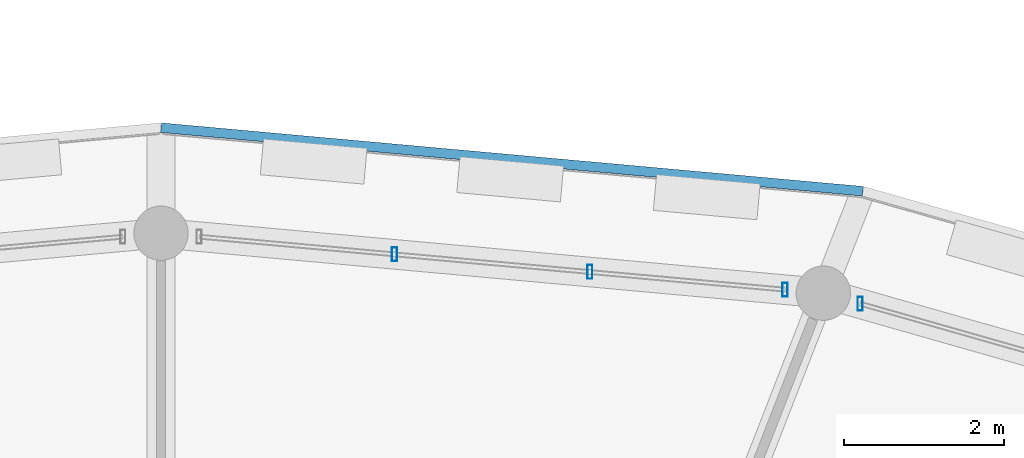
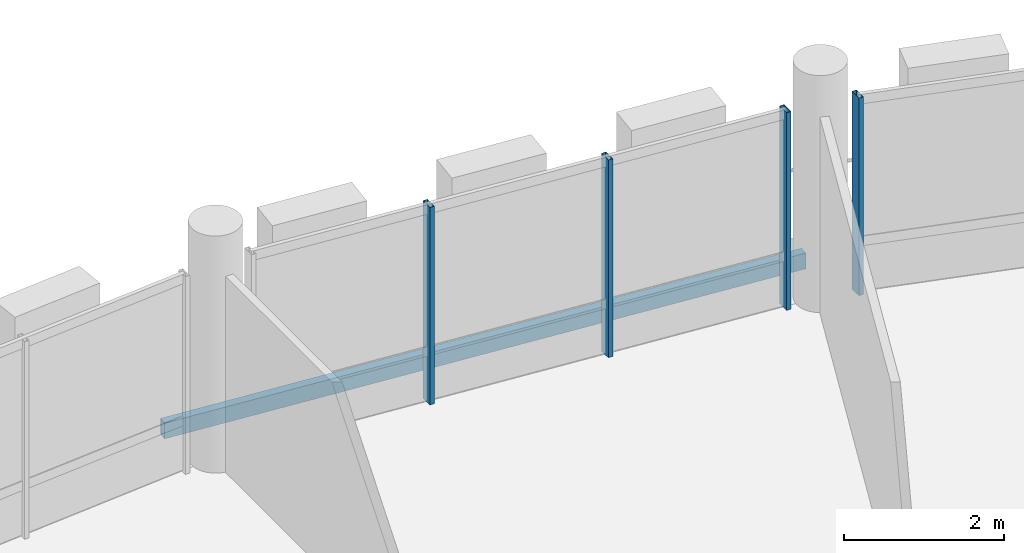
# One storey, part 77 of 128: 4 members, 1 beam, 2 elements without a shape of their own.
"""IFC4 building model written with IfcOpenShell, lengths in metres."""

import ifcopenshell
import ifcopenshell.guid

model = None  # the IFC model being written
_history = None  # IfcOwnerHistory: only IFC2X3 demands one
_inside = {}  # id of a spatial element -> (the spatial element, [elements in it])
_under = {}  # id of a project, library or spatial element -> (it, [spatial elements below it])
_declared = {}  # id of a project -> (the project, [libraries it declares])
_typed = {}  # id of a type object -> (the type object, [elements of that type])
_made_of = {}  # id of a material, layer set ... -> (it, [elements and type objects made of it])


def new_model(schema):
    """Start an empty IFC model of exactly this schema.

    Asked for "IFC4X3", IfcOpenShell would pick the latest addendum, in which some entities
    have other attributes; the version numbers below select the first issue.
    IFC2X3 requires an IfcOwnerHistory on every rooted entity: one is made here for all.
    """
    global model, _history
    if schema == "IFC4X3":
        model = ifcopenshell.file(schema_version=(4, 3, 0, 0))
    else:
        model = ifcopenshell.file(schema=schema)
    _inside.clear()
    _under.clear()
    _declared.clear()
    _typed.clear()
    _made_of.clear()
    _history = None
    if model.schema == "IFC2X3":
        org = make("IfcOrganization", Name="unknown")
        user = make(
            "IfcPersonAndOrganization",
            ThePerson=make("IfcPerson", FamilyName="unknown"),
            TheOrganization=org,
        )
        app = make(
            "IfcApplication",
            ApplicationDeveloper=org,
            Version="unknown",
            ApplicationFullName="unknown",
            ApplicationIdentifier="unknown",
        )
        _history = make(
            "IfcOwnerHistory",
            OwningUser=user,
            OwningApplication=app,
            ChangeAction="ADDED",
            CreationDate=0,
        )
    return model


def make(cls, **values):
    """One entity of the class cls with the attributes given. An attribute that is None is left unset."""
    return model.create_entity(
        cls, **{name: value for name, value in values.items() if value is not None}
    )


def rooted(cls, **values):
    """An entity with a GlobalId (a new one), such as an element, a storey or a relation."""
    return make(cls, GlobalId=ifcopenshell.guid.new(), OwnerHistory=_history, **values)


def si_unit(unit_type, name, prefix=None):
    """IfcSIUnit, for example si_unit("LENGTHUNIT", "METRE", prefix="MILLI")."""
    return make("IfcSIUnit", UnitType=unit_type, Prefix=prefix, Name=name)


def assignment(units):
    """IfcUnitAssignment: the units of a project."""
    return None if units is None else make("IfcUnitAssignment", Units=units)


def point(xyz):
    """IfcCartesianPoint."""
    return None if xyz is None else make("IfcCartesianPoint", Coordinates=xyz)


def direction(xyz):
    """IfcDirection."""
    return None if xyz is None else make("IfcDirection", DirectionRatios=xyz)


def frame(location, z_axis=None, x_axis=None):
    """IfcAxis2Placement3D, a coordinate frame: its origin and axes. An axis left out is left unset."""
    return make(
        "IfcAxis2Placement3D",
        Location=point(location),
        Axis=direction(z_axis),
        RefDirection=direction(x_axis),
    )


def frame_2d(location, x_axis=None):
    """IfcAxis2Placement2D, a coordinate frame in the plane: its origin and x axis."""
    return make(
        "IfcAxis2Placement2D", Location=point(location), RefDirection=direction(x_axis)
    )


def origin():
    """The frame at (0, 0, 0) with its axes left unset."""
    return frame((0.0, 0.0, 0.0))


def origin_2d():
    """The frame at (0, 0) in the plane with its x axis left unset."""
    return frame_2d((0.0, 0.0))


def place(relative_to, where):
    """IfcLocalPlacement: puts the frame where relative to a parent placement (None: the world)."""
    return make(
        "IfcLocalPlacement", PlacementRelTo=relative_to, RelativePlacement=where
    )


def context(
    kind, dimensions, precision=None, world=None, true_north=None, identifier=None
):
    """IfcGeometricRepresentationContext, for example the 3D "Model" context."""
    return make(
        "IfcGeometricRepresentationContext",
        ContextIdentifier=identifier,
        ContextType=kind,
        CoordinateSpaceDimension=dimensions,
        Precision=precision,
        WorldCoordinateSystem=world,
        TrueNorth=true_north,
    )


def subcontext(parent, identifier, kind, view, scale=None):
    """IfcGeometricRepresentationSubContext, for example "Body" below "Model"."""
    return make(
        "IfcGeometricRepresentationSubContext",
        ContextIdentifier=identifier,
        ContextType=kind,
        ParentContext=parent,
        TargetScale=scale,
        TargetView=view,
    )


def project(units=None, contexts=None):
    """IfcProject with its units and contexts."""
    return rooted(
        "IfcProject",
        Name="project",
        RepresentationContexts=contexts,
        UnitsInContext=assignment(units),
    )


def spatial(cls, under=None, at=None, **own):
    """A site, building, storey or space (cls), placed at a placement, below another one or the project."""
    s = rooted(cls, ObjectPlacement=at, **own)
    if under is not None:
        _under.setdefault(under.id(), (under, []))[1].append(s)
    return s


def profile(cls, at=None, kind="AREA", **sizes):
    """A parametric profile (cls). Its sizes go by their IFC names, for example OverallWidth=200.0."""
    return make(cls, ProfileType=kind, Position=at, **sizes)


def hollow_rectangle(**sizes):
    """IfcRectangleHollowProfileDef."""
    return profile("IfcRectangleHollowProfileDef", **sizes)


def extrude(swept, where, along, depth):
    """IfcExtrudedAreaSolid: the profile swept, set in the frame where, extruded along a direction by depth."""
    return make(
        "IfcExtrudedAreaSolid",
        SweptArea=swept,
        Position=where,
        ExtrudedDirection=direction(along),
        Depth=depth,
    )


def shape(context_of_items, identifier, shape_type, items):
    """IfcShapeRepresentation: the items that make up one representation, for example the "Body"."""
    return make(
        "IfcShapeRepresentation",
        ContextOfItems=context_of_items,
        RepresentationIdentifier=identifier,
        RepresentationType=shape_type,
        Items=items,
    )


def material(Name=None, Category=None):
    """IfcMaterial."""
    return make("IfcMaterial", Name=Name, Category=Category)


def material_profile(
    of_material, cross_section, Name=None, Category=None, Priority=None
):
    """IfcMaterialProfile: a cross section and its material."""
    return make(
        "IfcMaterialProfile",
        Name=Name,
        Material=of_material,
        Profile=cross_section,
        Priority=Priority,
        Category=Category,
    )


def profile_set(profiles, Name=None, composite=None):
    """IfcMaterialProfileSet."""
    return make(
        "IfcMaterialProfileSet",
        Name=Name,
        MaterialProfiles=profiles,
        CompositeProfile=composite,
    )


def made_of(thing, what):
    """Note that an element or type object is made of a material, layer set ...; save() writes the relation."""
    if what is not None:
        _made_of.setdefault(what.id(), (what, []))[1].append(thing)
    return thing


def type_object(cls, material=None, **own):
    """A type object (cls), such as IfcWallType, which elements share."""
    return made_of(rooted(cls, **own), material)


def element(
    cls,
    number,
    at=None,
    inside=None,
    cuts=None,
    type_object=None,
    material=None,
    context=None,
    identifier="Body",
    shape_type=None,
    held_by="IfcProductDefinitionShape",
    body=None,
    shapes=None,
    **own,
):
    """One element of the class cls, such as IfcWall. Its Tag is "e" and its number.

    at: its placement. inside: the storey or other place that contains it. cuts: it is an
    opening in that element (IfcRelVoidsElement). A single representation is given by context,
    identifier, shape_type and body (its items); several are given by shapes. held_by: the class
    of the entity that holds the representations. save() writes the other relations.
    """
    e = rooted(cls, Tag="e%d" % number, ObjectPlacement=at, **own)
    if body is not None:
        shapes = [shape(context, identifier, shape_type, body)]
    if shapes is not None:
        e.Representation = make(held_by, Representations=shapes)
    if inside is not None:
        _inside.setdefault(inside.id(), (inside, []))[1].append(e)
    if cuts is not None:
        rooted(
            "IfcRelVoidsElement", RelatingBuildingElement=cuts, RelatedOpeningElement=e
        )
    if type_object is not None:
        _typed.setdefault(type_object.id(), (type_object, []))[1].append(e)
    return made_of(e, material)


def aggregate(whole, parts):
    """IfcRelAggregates: a whole, such as a stair, and the parts it consists of."""
    return rooted("IfcRelAggregates", RelatingObject=whole, RelatedObjects=parts)


def save(model, path):
    """Write the relations noted so far, then the file.

    IfcRelAggregates (storeys below a building ...), IfcRelContainedInSpatialStructure (elements
    in a storey), IfcRelDefinesByType, IfcRelAssociatesMaterial and IfcRelDeclares: one each for
    every whole, place, type object, material and project.
    """
    for whole, parts in _under.values():
        aggregate(whole, parts)
    for where, things in _inside.values():
        rooted(
            "IfcRelContainedInSpatialStructure",
            RelatedElements=things,
            RelatingStructure=where,
        )
    for kind, things in _typed.values():
        rooted("IfcRelDefinesByType", RelatedObjects=things, RelatingType=kind)
    for what, things in _made_of.values():
        rooted("IfcRelAssociatesMaterial", RelatedObjects=things, RelatingMaterial=what)
    for by, libraries in _declared.values():
        rooted("IfcRelDeclares", RelatingContext=by, RelatedDefinitions=libraries)
    model.write(path)


model = new_model("IFC4")

# Units and contexts
model_context = context("Model", 3, precision=1e-05, world=origin(), true_north=direction((0.0, 1.0)))
body_context = subcontext(model_context, "Body", "Model", "MODEL_VIEW")
ifc_project = project(units=[si_unit("LENGTHUNIT", "METRE"), si_unit("AREAUNIT", "SQUARE_METRE"), si_unit("VOLUMEUNIT", "CUBIC_METRE"), si_unit("PLANEANGLEUNIT", "RADIAN"), si_unit("MASSUNIT", "GRAM", prefix="KILO")], contexts=[model_context])

# Site, building, storey
site_placement = place(None, origin())
site = spatial("IfcSite", under=ifc_project, at=site_placement, CompositionType="ELEMENT")
building_placement = place(site_placement, origin())
building = spatial("IfcBuilding", under=site, at=building_placement, Name="Zornivar Specialist Clinic", CompositionType="ELEMENT")
storey_placement = place(building_placement, frame((0.0, 0.0, 4.5)))
storey = spatial("IfcBuildingStorey", under=building, at=storey_placement, Name="L01", CompositionType="ELEMENT", Elevation=4.5)

# Beam
ifc_material_1 = material(Name="Steel S355J2", Category="steel")
ifc_material_profile_1 = material_profile(ifc_material_1, hollow_rectangle(XDim=0.1201171875, YDim=0.239990234375, WallThickness=0.008056640625, at=origin_2d()), Name="RHS 240x120x8")
ifc_profile_set_1 = profile_set([ifc_material_profile_1], Name="Steel S355J2")
beam_type = type_object("IfcBeamType", Name="BM-STL-RHS240", PredefinedType="JOIST", material=ifc_profile_set_1)
beam_placement = place(storey_placement, frame((102.37890625, 80.125, -0.360107421875), z_axis=(-0.995925380717, 0.090181129084, 0.0), x_axis=(-0.090181129084, -0.995925380717, 0.0)))
element("IfcBeam", 1, at=beam_placement, inside=storey, type_object=beam_type, Name="bm:V1:L01:balring:05", PredefinedType="JOIST", context=body_context, shape_type="SweptSolid", body=[
    extrude(hollow_rectangle(XDim=0.1201171875, YDim=0.239990234375, WallThickness=0.008056640625, at=origin_2d()), origin(), (0.0, 0.0, 1.0), 8.814697265625),
])

# Curtain wall, member
ifc_material_2 = material(Name="Aluminium and Low-E Glass Curtain Wall", Category="aluminium")
curtain_wall_type = type_object("IfcCurtainWallType", Name="CW-DRUM-FACET", PredefinedType="NOTDEFINED", material=ifc_material_2)
curtain_wall_1_placement = place(storey_placement, origin())
curtain_wall_1 = element("IfcCurtainWall", 2, at=curtain_wall_1_placement, inside=storey, type_object=curtain_wall_type, Name="cw:V1:L01:c04", PredefinedType="NOTDEFINED")
ifc_material_3 = material(Name="Aluminium AW-6060", Category="aluminium")
ifc_material_profile_2 = material_profile(ifc_material_3, hollow_rectangle(XDim=0.06494140625, YDim=0.175048828125, WallThickness=0.00439453125, at=origin_2d()), Name="ALU 65x175x4.5")
ifc_profile_set_2 = profile_set([ifc_material_profile_2], Name="Aluminium AW-6060")
member_type = type_object("IfcMemberType", Name="CWM-MUL-175", PredefinedType="MULLION", material=ifc_profile_set_2)
member_1_placement = place(storey_placement, frame((102.343017578125, 78.718017578125, 0.0), z_axis=(0.0, 0.0, 1.0), x_axis=(1.0, 0.0, 0.0)))
member_1 = element("IfcMember", 3, at=member_1_placement, type_object=member_type, Name="cw:V1:L01:c04:mul:3", PredefinedType="MULLION", context=body_context, shape_type="SweptSolid", body=[
    extrude(hollow_rectangle(XDim=0.06494140625, YDim=0.175048828125, WallThickness=0.00439453125, at=origin_2d()), origin(), (0.0, 0.0, 1.0), 3.010009765625),
])
aggregate(curtain_wall_1, [member_1])

# Curtain wall, members
curtain_wall_2_placement = place(storey_placement, origin())
curtain_wall_2 = element("IfcCurtainWall", 4, at=curtain_wall_2_placement, inside=storey, type_object=curtain_wall_type, Name="cw:V1:L01:c05", PredefinedType="NOTDEFINED")
member_2_placement = place(storey_placement, frame((101.404052734375, 78.89404296875, 0.0), z_axis=(0.0, 0.0, 1.0), x_axis=(1.0, 0.0, 0.0)))
member_2 = element("IfcMember", 5, at=member_2_placement, type_object=member_type, Name="cw:V1:L01:c05:mul:0", PredefinedType="MULLION", context=body_context, shape_type="SweptSolid", body=[
    extrude(hollow_rectangle(XDim=0.06494140625, YDim=0.175048828125, WallThickness=0.00439453125, at=origin_2d()), origin(), (0.0, 0.0, 1.0), 3.010009765625),
])
member_3_placement = place(storey_placement, frame((98.9619140625, 79.114990234375, 0.0), z_axis=(0.0, 0.0, 1.0), x_axis=(1.0, 0.0, 0.0)))
member_3 = element("IfcMember", 6, at=member_3_placement, type_object=member_type, Name="cw:V1:L01:c05:mul:1", PredefinedType="MULLION", context=body_context, shape_type="SweptSolid", body=[
    extrude(hollow_rectangle(XDim=0.06494140625, YDim=0.175048828125, WallThickness=0.00439453125, at=origin_2d()), origin(), (0.0, 0.0, 1.0), 3.010009765625),
])
member_4_placement = place(storey_placement, frame((96.52001953125, 79.3359375, 0.0), z_axis=(0.0, 0.0, 1.0), x_axis=(1.0, 0.0, 0.0)))
member_4 = element("IfcMember", 7, at=member_4_placement, type_object=member_type, Name="cw:V1:L01:c05:mul:2", PredefinedType="MULLION", context=body_context, shape_type="SweptSolid", body=[
    extrude(hollow_rectangle(XDim=0.06494140625, YDim=0.175048828125, WallThickness=0.00439453125, at=origin_2d()), origin(), (0.0, 0.0, 1.0), 3.010009765625),
])
aggregate(curtain_wall_2, [member_2, member_3, member_4])

save(model, "model.ifc")
